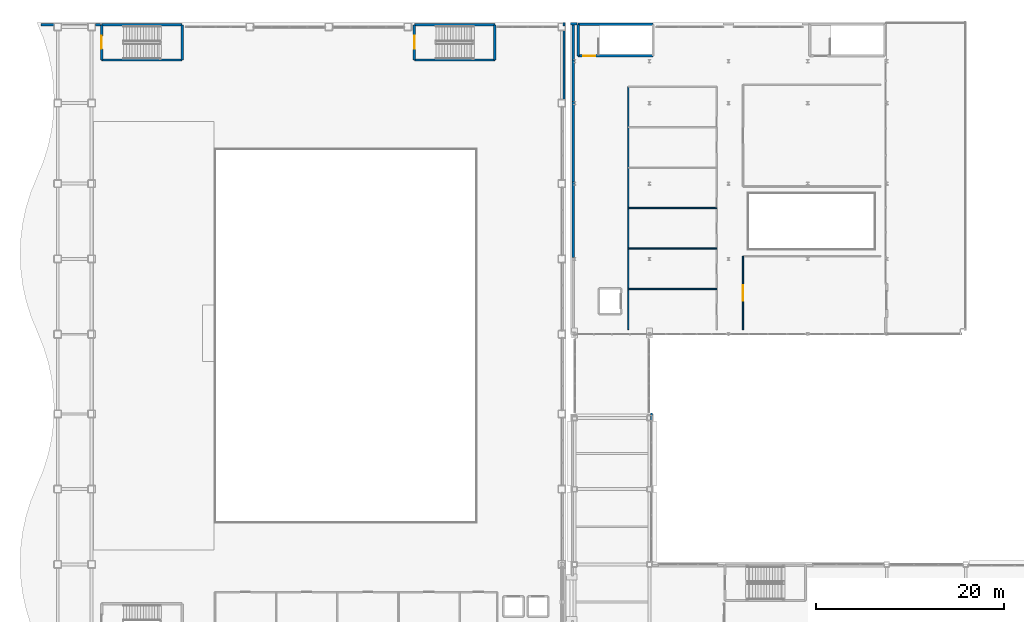
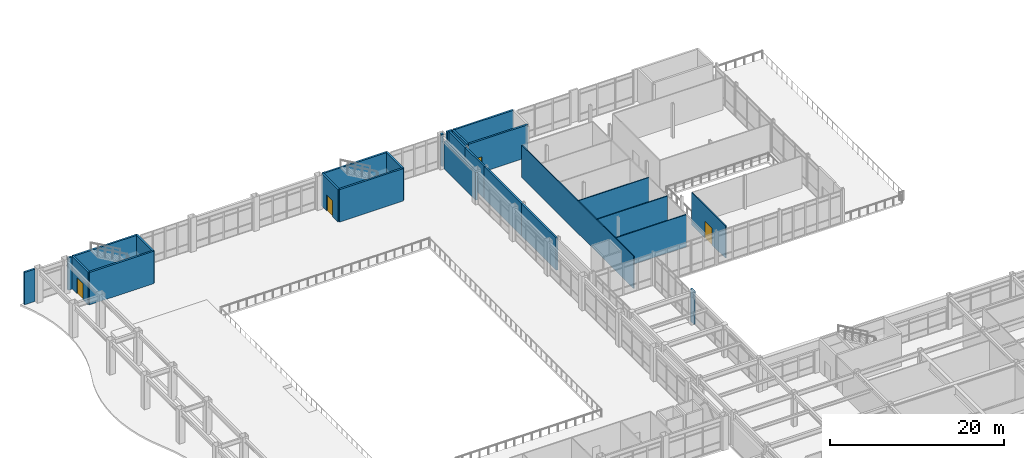
# One storey, part 134 of 154: 26 walls, 4 doors, 4 openings.
"""IFC4 building model written with IfcOpenShell, lengths in metres."""

from ifc_helpers import new_model, si_unit, direction, frame, frame_2d, origin, place, context, subcontext, project, spatial, rectangle, extrude, material, layer, layer_set, type_object, element, fill, save


model = new_model("IFC4")

# Units and contexts
model_context = context("Model", 3, precision=1e-05, world=origin(), true_north=direction((0.0, 1.0)))
body_context = subcontext(model_context, "Body", "Model", "MODEL_VIEW")
ifc_project = project(units=[si_unit("LENGTHUNIT", "METRE"), si_unit("AREAUNIT", "SQUARE_METRE"), si_unit("VOLUMEUNIT", "CUBIC_METRE"), si_unit("PLANEANGLEUNIT", "RADIAN"), si_unit("MASSUNIT", "GRAM", prefix="KILO")], contexts=[model_context])

# Site, building, storey
site_placement = place(None, origin())
site = spatial("IfcSite", under=ifc_project, at=site_placement, CompositionType="ELEMENT")
building_placement = place(site_placement, origin())
building = spatial("IfcBuilding", under=site, at=building_placement, Name="Kazehara Bluff Congress Hotel", CompositionType="ELEMENT")
storey_placement = place(building_placement, frame((0.0, 0.0, 10.199951171875)))
storey = spatial("IfcBuildingStorey", under=building, at=storey_placement, Name="L02", CompositionType="ELEMENT", Elevation=10.199951171875)

# Wall, opening, door
ifc_material_1 = material(Name="Concrete C40/50", Category="concrete")
ifc_layer_1 = layer(ifc_material_1, 0.25)
ifc_layer_set_1 = layer_set([ifc_layer_1], Name="Concrete C40/50")
wall_type_1 = type_object("IfcWallType", Name="TP-CW-RC", PredefinedType="SHEAR", material=ifc_layer_set_1)
wall_1_placement = place(storey_placement, frame((9.47509765625, 110.02490234375, 0.0), z_axis=(0.0, 0.0, 1.0), x_axis=(0.0, 1.0, 0.0)))
wall_1 = element("IfcWall", 1, at=wall_1_placement, inside=storey, type_object=wall_type_1, Name="L02 ST-01 core wall near", PredefinedType="SHEAR", context=body_context, shape_type="SweptSolid", body=[
    extrude(rectangle(XDim=3.75, YDim=0.25, at=frame_2d((1.875, 0.0))), origin(), (0.0, 0.0, 1.0), 4.56005859375),
])
opening_1_placement = place(wall_1_placement, frame((1.175048828125, 0.0, 0.0)))
opening_1 = element("IfcOpeningElement", 2, at=opening_1_placement, cuts=wall_1, Name="Opening FD-03", PredefinedType="OPENING", context=body_context, shape_type="SweptSolid", body=[
    extrude(rectangle(XDim=1.39990234375, YDim=2.25, at=frame_2d((0.699951171875, 1.125))), frame((0.0, 0.135009765625, 0.0), z_axis=(0.0, -1.0, 0.0), x_axis=(1.0, 0.0, 0.0)), (0.0, 0.0, 1.0), 0.27001953125),
])
ifc_material_2 = material(Name="Fire-rated painted steel leaf", Category="steel")
door_type_1 = type_object("IfcDoorType", Name="TP-FD-03", OperationType="NOTDEFINED", PredefinedType="DOOR", material=ifc_material_2)
door_1_placement = place(opening_1_placement, origin())
door_1 = element("IfcDoor", 3, at=door_1_placement, inside=storey, type_object=door_type_1, Name="L02 ST-01 fire stair door", OperationType="SINGLE_SWING_LEFT", OverallHeight=2.25, OverallWidth=1.39990234375, PredefinedType="DOOR", context=body_context, shape_type="SweptSolid", body=[
    extrude(rectangle(XDim=1.39990234375, YDim=2.25, at=frame_2d((0.699951171875, 1.125))), frame((0.0, 0.02490234375, 0.0), z_axis=(0.0, -1.0, 0.0), x_axis=(1.0, 0.0, 0.0)), (0.0, 0.0, 1.0), 0.050048828125),
])
fill(opening_1, door_1)

# Walls
wall_2_placement = place(storey_placement, frame((18.02490234375, 113.77490234375, 0.0), z_axis=(0.0, 0.0, 1.0), x_axis=(0.0, -1.0, 0.0)))
element("IfcWall", 4, at=wall_2_placement, inside=storey, type_object=wall_type_1, Name="L02 ST-01 core wall far", PredefinedType="SHEAR", context=body_context, shape_type="SweptSolid", body=[
    extrude(rectangle(XDim=3.75, YDim=0.25, at=frame_2d((1.875, 0.0))), origin(), (0.0, 0.0, 1.0), 4.56005859375),
])
for number, where, z_axis, x_axis, name in (
    (5, (18.02490234375, 110.02490234375, 0.0), (0.0, 0.0, 1.0), (-1.0, 0.0, 0.0), "L02 ST-01 core wall left"),
    (6, (9.47509765625, 113.77490234375, 0.0), (0.0, 0.0, 1.0), (1.0, 0.0, 0.0), "L02 ST-01 core wall right"),
):
    element("IfcWall", number, at=place(storey_placement, frame(where, z_axis=z_axis, x_axis=x_axis)), inside=storey, type_object=wall_type_1, Name=name, PredefinedType="SHEAR", context=body_context, shape_type="SweptSolid", body=[
        extrude(rectangle(XDim=8.5498046875, YDim=0.25, at=frame_2d((4.27490234375, 0.0))), origin(), (0.0, 0.0, 1.0), 4.56005859375),
    ])

# Wall, opening, door
wall_3_placement = place(storey_placement, frame((42.675048828125, 110.02490234375, 0.0), z_axis=(0.0, 0.0, 1.0), x_axis=(0.0, 1.0, 0.0)))
wall_3 = element("IfcWall", 7, at=wall_3_placement, inside=storey, type_object=wall_type_1, Name="L02 ST-02 core wall near", PredefinedType="SHEAR", context=body_context, shape_type="SweptSolid", body=[
    extrude(rectangle(XDim=3.75, YDim=0.25, at=frame_2d((1.875, 0.0))), origin(), (0.0, 0.0, 1.0), 4.56005859375),
])
opening_2_placement = place(wall_3_placement, frame((1.175048828125, 0.0, 0.0)))
opening_2 = element("IfcOpeningElement", 8, at=opening_2_placement, cuts=wall_3, Name="Opening FD-03", PredefinedType="OPENING", context=body_context, shape_type="SweptSolid", body=[
    extrude(rectangle(XDim=1.39990234375, YDim=2.25, at=frame_2d((0.699951171875, 1.125))), frame((0.0, 0.135009765625, 0.0), z_axis=(0.0, -1.0, 0.0), x_axis=(1.0, 0.0, 0.0)), (0.0, 0.0, 1.0), 0.27001953125),
])
door_2_placement = place(opening_2_placement, origin())
door_2 = element("IfcDoor", 9, at=door_2_placement, inside=storey, type_object=door_type_1, Name="L02 ST-02 fire stair door", OperationType="SINGLE_SWING_RIGHT", OverallHeight=2.25, OverallWidth=1.39990234375, PredefinedType="DOOR", context=body_context, shape_type="SweptSolid", body=[
    extrude(rectangle(XDim=1.39990234375, YDim=2.25, at=frame_2d((0.699951171875, 1.125))), frame((0.0, 0.02490234375, 0.0), z_axis=(0.0, -1.0, 0.0), x_axis=(1.0, 0.0, 0.0)), (0.0, 0.0, 1.0), 0.050048828125),
])
fill(opening_2, door_2)

# Walls
wall_4_placement = place(storey_placement, frame((51.22509765625, 113.77490234375, 0.0), z_axis=(0.0, 0.0, 1.0), x_axis=(0.0, -1.0, 0.0)))
element("IfcWall", 10, at=wall_4_placement, inside=storey, type_object=wall_type_1, Name="L02 ST-02 core wall far", PredefinedType="SHEAR", context=body_context, shape_type="SweptSolid", body=[
    extrude(rectangle(XDim=3.75, YDim=0.25, at=frame_2d((1.875, 0.0))), origin(), (0.0, 0.0, 1.0), 4.56005859375),
])
for number, where, z_axis, x_axis, name in (
    (11, (51.22509765625, 110.02490234375, 0.0), (0.0, 0.0, 1.0), (-1.0, 0.0, 0.0), "L02 ST-02 core wall left"),
    (12, (42.675048828125, 113.77490234375, 0.0), (0.0, 0.0, 1.0), (1.0, 0.0, 0.0), "L02 ST-02 core wall right"),
):
    element("IfcWall", number, at=place(storey_placement, frame(where, z_axis=z_axis, x_axis=x_axis)), inside=storey, type_object=wall_type_1, Name=name, PredefinedType="SHEAR", context=body_context, shape_type="SweptSolid", body=[
        extrude(rectangle(XDim=8.550048828125, YDim=0.25, at=frame_2d((4.27490234375, 0.0))), origin(), (0.0, 0.0, 1.0), 4.56005859375),
    ])
wall_5_placement = place(storey_placement, frame((60.074951171875, 110.47509765625, 0.0), z_axis=(0.0, 0.0, 1.0), x_axis=(0.0, 1.0, 0.0)))
element("IfcWall", 13, at=wall_5_placement, inside=storey, type_object=wall_type_1, Name="L02 ST-06 core wall near", PredefinedType="SHEAR", context=body_context, shape_type="SweptSolid", body=[
    extrude(rectangle(XDim=3.349853515625, YDim=0.25, at=frame_2d((1.6748046875, 0.0))), origin(), (0.0, 0.0, 1.0), 4.56005859375),
])

# Wall, opening, door
wall_6_placement = place(storey_placement, frame((68.02490234375, 110.47509765625, 0.0), z_axis=(0.0, 0.0, 1.0), x_axis=(-1.0, 0.0, 0.0)))
wall_6 = element("IfcWall", 14, at=wall_6_placement, inside=storey, type_object=wall_type_1, Name="L02 ST-06 core wall left", PredefinedType="SHEAR", context=body_context, shape_type="SweptSolid", body=[
    extrude(rectangle(XDim=7.949951171875, YDim=0.25, at=frame_2d((3.97509765625, 0.0))), origin(), (0.0, 0.0, 1.0), 4.56005859375),
])
opening_3_placement = place(wall_6_placement, frame((6.125, 0.0, 0.0)))
opening_3 = element("IfcOpeningElement", 15, at=opening_3_placement, cuts=wall_6, Name="Opening FD-01", PredefinedType="OPENING", context=body_context, shape_type="SweptSolid", body=[
    extrude(rectangle(XDim=1.300048828125, YDim=2.199951171875, at=frame_2d((0.64990234375, 1.10009765625))), frame((0.0, 0.135009765625, 0.0), z_axis=(0.0, -1.0, 0.0), x_axis=(1.0, 0.0, 0.0)), (0.0, 0.0, 1.0), 0.27001953125),
])
ifc_material_3 = material(Name="Fire-rated painted steel leaf", Category="steel")
door_type_2 = type_object("IfcDoorType", Name="TP-FD-01", OperationType="NOTDEFINED", PredefinedType="DOOR", material=ifc_material_3)
door_3_placement = place(opening_3_placement, origin())
door_3 = element("IfcDoor", 16, at=door_3_placement, inside=storey, type_object=door_type_2, Name="L02 ST-06 fire stair door", OperationType="SINGLE_SWING_RIGHT", OverallHeight=2.199951171875, OverallWidth=1.300048828125, PredefinedType="DOOR", context=body_context, shape_type="SweptSolid", body=[
    extrude(rectangle(XDim=1.300048828125, YDim=2.199951171875, at=frame_2d((0.64990234375, 1.10009765625))), frame((0.0, 0.02490234375, 0.0), z_axis=(0.0, -1.0, 0.0), x_axis=(1.0, 0.0, 0.0)), (0.0, 0.0, 1.0), 0.050048828125),
])
fill(opening_3, door_3)

# Walls
wall_7_placement = place(storey_placement, frame((60.074951171875, 113.824951171875, 0.0), z_axis=(0.0, 0.0, 1.0), x_axis=(1.0, 0.0, 0.0)))
element("IfcWall", 17, at=wall_7_placement, inside=storey, type_object=wall_type_1, Name="L02 ST-06 core wall right", PredefinedType="SHEAR", context=body_context, shape_type="SweptSolid", body=[
    extrude(rectangle(XDim=7.949951171875, YDim=0.25, at=frame_2d((3.97509765625, 0.0))), origin(), (0.0, 0.0, 1.0), 4.56005859375),
])
ifc_material_4 = material(Name="Precast concrete C40/50", Category="concrete")
ifc_layer_2 = layer(ifc_material_4, 0.239990234375)
ifc_layer_set_2 = layer_set([ifc_layer_2], Name="Precast concrete C40/50")
wall_type_2 = type_object("IfcWallType", Name="TP-EW-240", PredefinedType="SOLIDWALL", material=ifc_layer_set_2)
wall_8_placement = place(storey_placement, frame((58.580078125, 113.14990234375, 0.0), z_axis=(0.0, 0.0, 1.0), x_axis=(0.0, -1.0, 0.0)))
element("IfcWall", 18, at=wall_8_placement, inside=storey, type_object=wall_type_2, Name="L02 V1 perimeter spandrel pier 622", PredefinedType="SOLIDWALL", context=body_context, shape_type="SweptSolid", body=[
    extrude(rectangle(XDim=7.2998046875, YDim=0.239990234375, at=frame_2d((3.64990234375, 0.0))), origin(), (0.0, 0.0, 1.0), 3.885009765625),
])
wall_9_placement = place(storey_placement, frame((58.580078125, 114.0, 0.0), z_axis=(0.0, 0.0, 1.0), x_axis=(0.0, -1.0, 0.0)))
element("IfcWall", 19, at=wall_9_placement, inside=storey, type_object=wall_type_2, Name="L02 V1 perimeter spandrel pier 623", PredefinedType="SOLIDWALL", context=body_context, shape_type="SweptSolid", body=[
    extrude(rectangle(XDim=0.360107421875, YDim=0.239990234375, at=frame_2d((0.18017578125, 0.0))), origin(), (0.0, 0.0, 1.0), 4.545166015625),
])
wall_10_placement = place(storey_placement, frame((3.010009765625, 113.780029296875, 0.0), z_axis=(0.0, 0.0, 1.0), x_axis=(1.0, 0.0, 0.0)))
element("IfcWall", 20, at=wall_10_placement, inside=storey, type_object=wall_type_2, Name="L02 V1 perimeter spandrel pier 624", PredefinedType="SOLIDWALL", context=body_context, shape_type="SweptSolid", body=[
    extrude(rectangle(XDim=1.389892578125, YDim=0.239990234375, at=frame_2d((0.69482421875, 0.0))), origin(), (0.0, 0.0, 1.0), 4.545166015625),
])
wall_11_placement = place(storey_placement, frame((8.800048828125, 113.780029296875, 0.0), z_axis=(0.0, 0.0, 1.0), x_axis=(1.0, 0.0, 0.0)))
element("IfcWall", 21, at=wall_11_placement, inside=storey, type_object=wall_type_2, Name="L02 V1 perimeter spandrel pier 625", PredefinedType="SOLIDWALL", context=body_context, shape_type="SweptSolid", body=[
    extrude(rectangle(XDim=0.5400390625, YDim=0.239990234375, at=frame_2d((0.27001953125, 0.0))), origin(), (0.0, 0.0, 1.0), 4.545166015625),
])
wall_12_placement = place(storey_placement, frame((59.25, 113.8798828125, 0.0), z_axis=(0.0, 0.0, 1.0), x_axis=(1.0, 0.0, 0.0)))
element("IfcWall", 22, at=wall_12_placement, inside=storey, type_object=wall_type_2, Name="L02 V3 perimeter spandrel pier 633", PredefinedType="SOLIDWALL", context=body_context, shape_type="SweptSolid", body=[
    extrude(rectangle(XDim=0.68994140625, YDim=0.239990234375, at=frame_2d((0.344970703125, 0.0))), origin(), (0.0, 0.0, 1.0), 4.545166015625),
])
wall_13_placement = place(storey_placement, frame((59.570068359375, 89.050048828125, 0.0), z_axis=(0.0, 0.0, 1.0), x_axis=(0.0, 1.0, 0.0)))
element("IfcWall", 23, at=wall_13_placement, inside=storey, type_object=wall_type_2, Name="L02 V3 perimeter spandrel pier 637", PredefinedType="SOLIDWALL", context=body_context, shape_type="SweptSolid", body=[
    extrude(rectangle(XDim=8.0, YDim=0.239990234375, at=frame_2d((4.0, 0.0))), origin(), (0.0, 0.0, 1.0), 4.545166015625),
])
wall_14_placement = place(storey_placement, frame((59.570068359375, 97.050048828125, 0.0), z_axis=(0.0, 0.0, 1.0), x_axis=(0.0, 1.0, 0.0)))
element("IfcWall", 24, at=wall_14_placement, inside=storey, type_object=wall_type_2, Name="L02 V3 perimeter spandrel pier 638", PredefinedType="SOLIDWALL", context=body_context, shape_type="SweptSolid", body=[
    extrude(rectangle(XDim=8.550048828125, YDim=0.239990234375, at=frame_2d((4.27490234375, 0.0))), origin(), (0.0, 0.0, 1.0), 4.545166015625),
])
wall_15_placement = place(storey_placement, frame((59.570068359375, 105.60009765625, 0.0), z_axis=(0.0, 0.0, 1.0), x_axis=(0.0, 1.0, 0.0)))
element("IfcWall", 25, at=wall_15_placement, inside=storey, type_object=wall_type_2, Name="L02 V3 perimeter spandrel pier 639", PredefinedType="SOLIDWALL", context=body_context, shape_type="SweptSolid", body=[
    extrude(rectangle(XDim=4.449951171875, YDim=0.239990234375, at=frame_2d((2.22509765625, 0.0))), origin(), (0.0, 0.0, 1.0), 4.545166015625),
])
wall_16_placement = place(storey_placement, frame((59.570068359375, 110.050048828125, 0.0), z_axis=(0.0, 0.0, 1.0), x_axis=(0.0, 1.0, 0.0)))
element("IfcWall", 26, at=wall_16_placement, inside=storey, type_object=wall_type_2, Name="L02 V3 perimeter spandrel pier 640", PredefinedType="SOLIDWALL", context=body_context, shape_type="SweptSolid", body=[
    extrude(rectangle(XDim=3.699951171875, YDim=0.239990234375, at=frame_2d((1.85009765625, 0.0))), origin(), (0.0, 0.0, 1.0), 4.545166015625),
])
wall_17_placement = place(storey_placement, frame((67.8798828125, 72.550048828125, 0.0), z_axis=(0.0, 0.0, 1.0), x_axis=(0.0, -1.0, 0.0)))
element("IfcWall", 27, at=wall_17_placement, inside=storey, type_object=wall_type_2, Name="L02 V4 perimeter spandrel pier 650", PredefinedType="SOLIDWALL", context=body_context, shape_type="SweptSolid", body=[
    extrude(rectangle(XDim=0.824951171875, YDim=0.239990234375, at=frame_2d((0.41259765625, 0.0))), origin(), (0.0, 0.0, 1.0), 4.545166015625),
])
ifc_material_5 = material(Name="Fire-rated gypsum board stud partition")
ifc_layer_3 = layer(ifc_material_5, 0.1298828125)
ifc_layer_set_3 = layer_set([ifc_layer_3], Name="Fire-rated gypsum board stud partition")
wall_type_3 = type_object("IfcWallType", Name="TP-PT-130", PredefinedType="PARTITIONING", material=ifc_layer_set_3)
for number, where, z_axis, x_axis, name in (
    (28, (65.39990234375, 85.699951171875, 0.0), (0.0, 0.0, 1.0), (1.0, 0.0, 0.0), "L02 partition PT-130 212"),
    (29, (65.39990234375, 90.0, 0.0), (0.0, 0.0, 1.0), (1.0, 0.0, 0.0), "L02 partition PT-130 214"),
    (30, (65.39990234375, 94.300048828125, 0.0), (0.0, 0.0, 1.0), (1.0, 0.0, 0.0), "L02 partition PT-130 215"),
):
    element("IfcWall", number, at=place(storey_placement, frame(where, z_axis=z_axis, x_axis=x_axis)), inside=storey, type_object=wall_type_3, Name=name, PredefinedType="PARTITIONING", context=body_context, shape_type="SweptSolid", body=[
        extrude(rectangle(XDim=9.400146484375, YDim=0.1298828125, at=frame_2d((4.7001953125, 0.0))), origin(), (0.0, 0.0, 1.0), 4.545166015625),
    ])
wall_18_placement = place(storey_placement, frame((65.39990234375, 81.39990234375, 0.0), z_axis=(0.0, 0.0, 1.0), x_axis=(0.0, 1.0, 0.0)))
element("IfcWall", 31, at=wall_18_placement, inside=storey, type_object=wall_type_3, Name="L02 partition PT-130 230", PredefinedType="PARTITIONING", context=body_context, shape_type="SweptSolid", body=[
    extrude(rectangle(XDim=25.800048828125, YDim=0.1298828125, at=frame_2d((12.89990234375, 0.0))), origin(), (0.0, 0.0, 1.0), 4.545166015625),
])

# Wall, opening, door
wall_19_placement = place(storey_placement, frame((77.60009765625, 81.39990234375, 0.0), z_axis=(0.0, 0.0, 1.0), x_axis=(0.0, 1.0, 0.0)))
wall_19 = element("IfcWall", 32, at=wall_19_placement, inside=storey, type_object=wall_type_3, Name="L02 partition PT-130 233", PredefinedType="PARTITIONING", context=body_context, shape_type="SweptSolid", body=[
    extrude(rectangle(XDim=7.800048828125, YDim=0.1298828125, at=frame_2d((3.89990234375, 0.0))), origin(), (0.0, 0.0, 1.0), 4.545166015625),
])
opening_4_placement = place(wall_19_placement, frame((3.074951171875, 0.0, 0.0)))
opening_4 = element("IfcOpeningElement", 33, at=opening_4_placement, cuts=wall_19, Name="Opening AD-04", PredefinedType="OPENING", context=body_context, shape_type="SweptSolid", body=[
    extrude(rectangle(XDim=1.64990234375, YDim=2.35009765625, at=frame_2d((0.824951171875, 1.175048828125))), frame((0.0, 0.074951171875, 0.0), z_axis=(0.0, -1.0, 0.0), x_axis=(1.0, 0.0, 0.0)), (0.0, 0.0, 1.0), 0.14990234375),
])
ifc_material_6 = material(Name="Architectural oak veneer leaf")
door_type_3 = type_object("IfcDoorType", Name="TP-AD-04", OperationType="DOUBLE_DOOR_SINGLE_SWING", PredefinedType="DOOR", material=ifc_material_6)
door_4_placement = place(opening_4_placement, origin())
door_4 = element("IfcDoor", 34, at=door_4_placement, inside=storey, type_object=door_type_3, Name="L02 Bluff Court Fitness Studio door", OperationType="DOUBLE_DOOR_SINGLE_SWING", OverallHeight=2.35009765625, OverallWidth=1.64990234375, PredefinedType="DOOR", context=body_context, shape_type="SweptSolid", body=[
    extrude(rectangle(XDim=1.64990234375, YDim=2.35009765625, at=frame_2d((0.824951171875, 1.175048828125))), frame((0.0, 0.02490234375, 0.0), z_axis=(0.0, -1.0, 0.0), x_axis=(1.0, 0.0, 0.0)), (0.0, 0.0, 1.0), 0.050048828125),
])
fill(opening_4, door_4)

save(model, "model.ifc")
